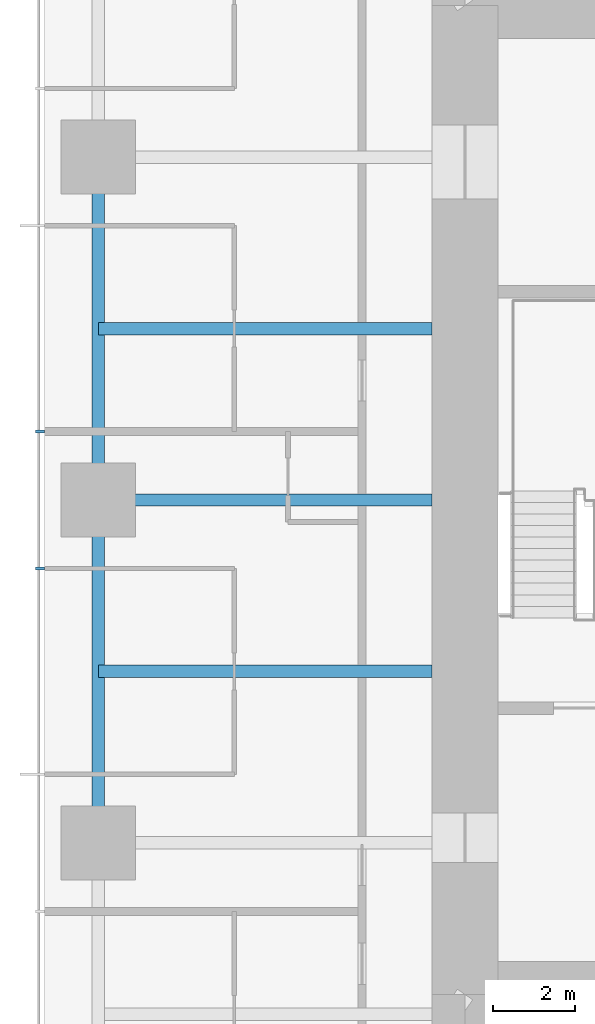
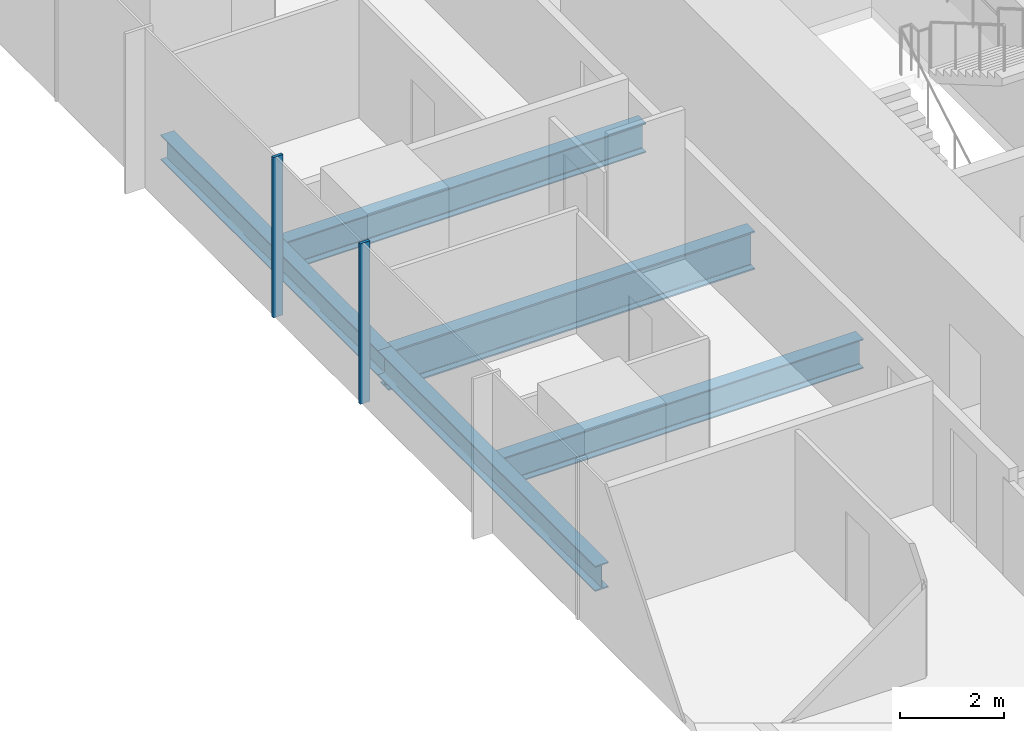
# One storey, part 3 of 13: 5 beams, 2 members, 1 element without a shape of its own.
"""IFC4 building model written with IfcOpenShell, lengths in metres."""

from ifc_helpers import new_model, si_unit, direction, frame, origin, origin_2d, place, context, subcontext, project, spatial, rectangle, i_section, extrude, material, material_profile, profile_set, type_object, element, aggregate, save


model = new_model("IFC4")

# Units and contexts
model_context = context("Model", 3, precision=1e-05, world=origin(), true_north=direction((0.0, 1.0)))
body_context = subcontext(model_context, "Body", "Model", "MODEL_VIEW")
ifc_project = project(units=[si_unit("LENGTHUNIT", "METRE"), si_unit("AREAUNIT", "SQUARE_METRE"), si_unit("VOLUMEUNIT", "CUBIC_METRE"), si_unit("PLANEANGLEUNIT", "RADIAN"), si_unit("MASSUNIT", "GRAM", prefix="KILO")], contexts=[model_context])

# Site, building, storey
site_placement = place(None, origin())
site = spatial("IfcSite", under=ifc_project, at=site_placement, CompositionType="ELEMENT")
building_placement = place(site_placement, origin())
building = spatial("IfcBuilding", under=site, at=building_placement, Name="Khuree Lantern Residences", CompositionType="ELEMENT")
storey_placement = place(building_placement, frame((0.0, 0.0, 255.75)))
storey = spatial("IfcBuildingStorey", under=building, at=storey_placement, Name="L64", CompositionType="ELEMENT", Elevation=255.75)

# Beams
ifc_material_1 = material(Name="Steel S355", Category="steel")
ifc_material_profile_1 = material_profile(ifc_material_1, i_section(OverallWidth=0.300048828125, OverallDepth=0.68994140625, WebThickness=0.014404296875, FlangeThickness=0.027099609375, FilletRadius=0.027099609375, at=origin_2d()), Name="HE 700 A")
ifc_profile_set_1 = profile_set([ifc_material_profile_1], Name="Steel S355")
beam_type_1 = type_object("IfcBeamType", Name="B-34 SECONDARY BEAM HE 700 A", PredefinedType="BEAM", material=ifc_profile_set_1)
for number, where, z_axis, x_axis, name in (
    (1, (-24.39990234375, -4.159912109375, -0.594970703125), (1.0, 0.0, 0.0), (0.0, 1.0, 0.0), "Secondary beam W3"),
    (2, (-24.39990234375, 4.159912109375, -0.594970703125), (1.0, 0.0, 0.0), (0.0, 1.0, 0.0), "Secondary beam W4"),
):
    element("IfcBeam", number, at=place(storey_placement, frame(where, z_axis=z_axis, x_axis=x_axis)), inside=storey, type_object=beam_type_1, Name=name, PredefinedType="BEAM", context=body_context, shape_type="SweptSolid", body=[
        extrude(i_section(OverallWidth=0.300048828125, OverallDepth=0.68994140625, WebThickness=0.014404296875, FlangeThickness=0.027099609375, FilletRadius=0.027099609375, at=origin_2d()), origin(), (0.0, 0.0, 1.0), 8.099853515625),
    ])
ifc_material_profile_2 = material_profile(ifc_material_1, i_section(OverallWidth=0.300048828125, OverallDepth=0.590087890625, WebThickness=0.012939453125, FlangeThickness=0.02490234375, FilletRadius=0.027099609375, at=origin_2d()), Name="HE 600 A")
ifc_profile_set_2 = profile_set([ifc_material_profile_2], Name="Steel S355")
beam_type_2 = type_object("IfcBeamType", Name="E-34 SPANDREL BEAM HE 600 A", PredefinedType="SPANDREL", material=ifc_profile_set_2)
for number, where, z_axis, x_axis, name in (
    (3, (-24.39990234375, -8.320068359375, -0.544921875), (0.0, 1.0, 0.0), (-1.0, 0.0, 0.0), "Spandrel beam W3"),
    (4, (-24.39990234375, 0.0, -0.544921875), (0.0, 1.0, 0.0), (-1.0, 0.0, 0.0), "Spandrel beam W4"),
):
    element("IfcBeam", number, at=place(storey_placement, frame(where, z_axis=z_axis, x_axis=x_axis)), inside=storey, type_object=beam_type_2, Name=name, PredefinedType="SPANDREL", context=body_context, shape_type="SweptSolid", body=[
        extrude(i_section(OverallWidth=0.300048828125, OverallDepth=0.590087890625, WebThickness=0.012939453125, FlangeThickness=0.02490234375, FilletRadius=0.027099609375, at=origin_2d()), origin(), (0.0, 0.0, 1.0), 8.320068359375),
    ])
ifc_material_profile_3 = material_profile(ifc_material_1, i_section(OverallWidth=0.300048828125, OverallDepth=0.89990234375, WebThickness=0.0185546875, FlangeThickness=0.034912109375, FilletRadius=0.030029296875, at=origin_2d()), Name="HE 900 B")
ifc_profile_set_3 = profile_set([ifc_material_profile_3], Name="Steel S355")
beam_type_3 = type_object("IfcBeamType", Name="G-34 GIRDER HE 900 B", PredefinedType="BEAM", material=ifc_profile_set_3)
beam_placement = place(storey_placement, frame((-24.39990234375, 0.0, -0.699951171875), z_axis=(1.0, 0.0, 0.0), x_axis=(0.0, 1.0, 0.0)))
element("IfcBeam", 5, at=beam_placement, inside=storey, type_object=beam_type_3, Name="Girder W3", PredefinedType="BEAM", context=body_context, shape_type="SweptSolid", body=[
    extrude(i_section(OverallWidth=0.300048828125, OverallDepth=0.89990234375, WebThickness=0.0185546875, FlangeThickness=0.034912109375, FilletRadius=0.030029296875, at=origin_2d()), origin(), (0.0, 0.0, 1.0), 8.099853515625),
])

# Curtain wall, members
ifc_material_2 = material(Name="Bronze anodised aluminium", Category="aluminium")
curtain_wall_type = type_object("IfcCurtainWallType", Name="CW-T1 TOWER FACE CURTAIN WALL", PredefinedType="USERDEFINED", material=ifc_material_2)
curtain_wall_placement = place(storey_placement, origin())
curtain_wall = element("IfcCurtainWall", 6, at=curtain_wall_placement, inside=storey, type_object=curtain_wall_type, Name="L64 WEST FACE CURTAIN WALL", ObjectType="Stick-built curtain wall", PredefinedType="USERDEFINED")
ifc_material_profile_4 = material_profile(ifc_material_2, rectangle(XDim=0.06494140625, YDim=0.219970703125, at=origin_2d()), Name="M1 65X220")
ifc_profile_set_4 = profile_set([ifc_material_profile_4], Name="Bronze anodised aluminium")
member_type = type_object("IfcMemberType", Name="M1 BRONZE MULLION TOWER 65X220", PredefinedType="MULLION", material=ifc_profile_set_4)
member_1_placement = place(storey_placement, frame((-25.81005859375, 1.6640625, 0.0), z_axis=(0.0, 0.0, 1.0), x_axis=(0.0, -1.0, 0.0)))
member_1 = element("IfcMember", 7, at=member_1_placement, type_object=member_type, Name="L64 WEST FACE MULLION 37", PredefinedType="MULLION", context=body_context, shape_type="SweptSolid", body=[
    extrude(rectangle(XDim=0.06494140625, YDim=0.219970703125, at=origin_2d()), origin(), (0.0, 0.0, 1.0), 3.75),
])
member_2_placement = place(storey_placement, frame((-25.81005859375, -1.6640625, 0.0), z_axis=(0.0, 0.0, 1.0), x_axis=(0.0, -1.0, 0.0)))
member_2 = element("IfcMember", 8, at=member_2_placement, type_object=member_type, Name="L64 WEST FACE MULLION 38", PredefinedType="MULLION", context=body_context, shape_type="SweptSolid", body=[
    extrude(rectangle(XDim=0.06494140625, YDim=0.219970703125, at=origin_2d()), origin(), (0.0, 0.0, 1.0), 3.75),
])
aggregate(curtain_wall, [member_1, member_2])

save(model, "model.ifc")
